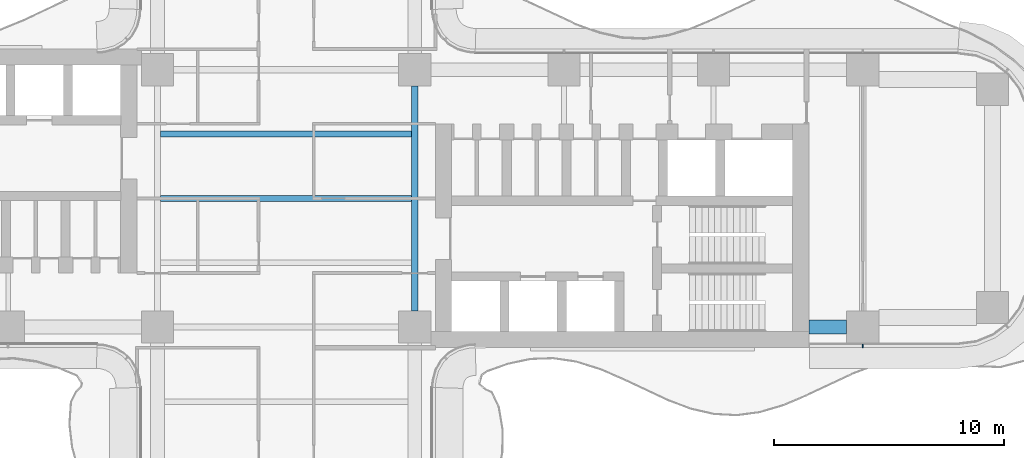
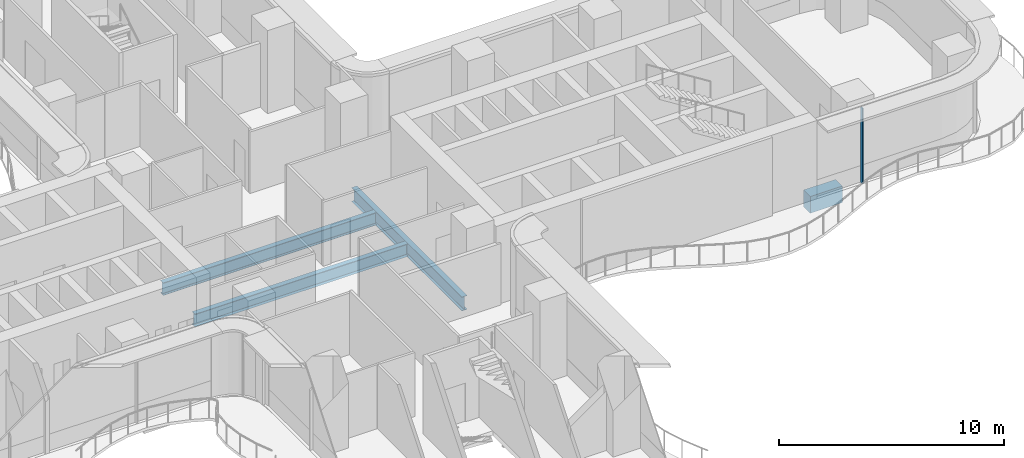
# One storey, part 6 of 23: 4 beams, 1 member, 1 element without a shape of its own.
"""IFC4 building model written with IfcOpenShell, lengths in metres."""

from ifc_helpers import new_model, si_unit, direction, frame, origin, origin_2d, place, context, subcontext, project, spatial, rectangle, i_section, extrude, source, transform, mapped, material, layer, layer_set, material_profile, profile_set, type_object, element, aggregate, save


model = new_model("IFC4")

# Units and contexts
model_context = context("Model", 3, precision=1e-05, world=origin(), true_north=direction((0.0, 1.0)))
body_context = subcontext(model_context, "Body", "Model", "MODEL_VIEW")
ifc_project = project(units=[si_unit("LENGTHUNIT", "METRE"), si_unit("AREAUNIT", "SQUARE_METRE"), si_unit("VOLUMEUNIT", "CUBIC_METRE"), si_unit("PLANEANGLEUNIT", "RADIAN"), si_unit("MASSUNIT", "GRAM", prefix="KILO")], contexts=[model_context])

# Site, building, storey
site_placement = place(None, origin())
site = spatial("IfcSite", under=ifc_project, at=site_placement, CompositionType="ELEMENT")
building_placement = place(site_placement, origin())
building = spatial("IfcBuilding", under=site, at=building_placement, Name="Trellis Farm Tower", CompositionType="ELEMENT")
storey_placement = place(building_placement, frame((0.0, 0.0, 83.5)))
storey = spatial("IfcBuildingStorey", under=building, at=storey_placement, Name="L17", CompositionType="ELEMENT", Elevation=83.5)

# Beams
ifc_material_1 = material(Name="Steel S355", Category="steel")
ifc_material_profile_1 = material_profile(ifc_material_1, i_section(OverallWidth=0.253662109375, OverallDepth=0.68359375, WebThickness=0.012451171875, FlangeThickness=0.021728515625, FilletRadius=0.01513671875, at=origin_2d()), Name="UB 686x254x140")
ifc_profile_set_1 = profile_set([ifc_material_profile_1], Name="Steel S355")
beam_type_1 = type_object("IfcBeamType", Name="UB 686x254x140 joist", PredefinedType="JOIST", material=ifc_profile_set_1)
shared_shape_1 = source(origin(), body_context, "Body", "SweptSolid", [
    extrude(i_section(OverallWidth=0.253662109375, OverallDepth=0.68359375, WebThickness=0.012451171875, FlangeThickness=0.021728515625, FilletRadius=0.01513671875, at=origin_2d()), origin(), (0.0, 0.0, 1.0), 10.93310546875),
])
for number, where, z_axis, x_axis, name in (
    (1, (-5.466552734375, 0.0, -0.591796875), (1.0, 0.0, 0.0), (0.0, 1.0, 0.0), "Floor beam"),
    (2, (-5.466552734375, 2.800048828125, -0.591796875), (1.0, 0.0, 0.0), (0.0, 1.0, 0.0), "Floor beam"),
):
    element("IfcBeam", number, at=place(storey_placement, frame(where, z_axis=z_axis, x_axis=x_axis)), inside=storey, type_object=beam_type_1, Name=name, PredefinedType="JOIST", context=body_context, shape_type="MappedRepresentation", body=[
        mapped(shared_shape_1, transform((0.0, 0.0, 0.0))),
    ])
ifc_material_profile_2 = material_profile(ifc_material_1, i_section(OverallWidth=0.2666015625, OverallDepth=0.76220703125, WebThickness=0.014404296875, FlangeThickness=0.021484375, FilletRadius=0.0166015625, at=origin_2d()), Name="UB 762x267x173")
ifc_profile_set_2 = profile_set([ifc_material_profile_2], Name="Steel S355")
beam_type_2 = type_object("IfcBeamType", Name="UB 762x267x173", PredefinedType="BEAM", material=ifc_profile_set_2)
shared_shape_2 = source(origin(), body_context, "Body", "SweptSolid", [
    extrude(i_section(OverallWidth=0.2666015625, OverallDepth=0.76220703125, WebThickness=0.014404296875, FlangeThickness=0.021484375, FilletRadius=0.0166015625, at=origin_2d()), origin(), (0.0, 0.0, 1.0), 9.7998046875),
])
beam_1_placement = place(storey_placement, frame((5.60009765625, -4.89990234375, -0.631103515625), z_axis=(0.0, 1.0, 0.0), x_axis=(-1.0, 0.0, 0.0)))
element("IfcBeam", 3, at=beam_1_placement, inside=storey, type_object=beam_type_2, Name="Girder", PredefinedType="BEAM", context=body_context, shape_type="MappedRepresentation", body=[
    mapped(shared_shape_2, transform((0.0, 0.0, 0.0))),
])
ifc_material_2 = material(Name="Concrete C60/75", Category="concrete")
ifc_material_profile_3 = material_profile(ifc_material_2, rectangle(XDim=0.60009765625, YDim=0.89990234375, at=origin_2d()), Name="RC spandrel beam 600x900 C60/75")
ifc_profile_set_3 = profile_set([ifc_material_profile_3], Name="Concrete C60/75")
beam_type_3 = type_object("IfcBeamType", Name="RC spandrel beam 600x900 C60/75", PredefinedType="SPANDREL", material=ifc_profile_set_3)
shared_shape_3 = source(origin(), body_context, "Body", "SweptSolid", [
    extrude(rectangle(XDim=0.60009765625, YDim=0.89990234375, at=origin_2d()), origin(), (0.0, 0.0, 1.0), 1.64990234375),
])
beam_2_placement = place(storey_placement, frame((22.75, -5.60009765625, -0.699951171875), z_axis=(1.0, 0.0, 0.0), x_axis=(0.0, 1.0, 0.0)))
element("IfcBeam", 4, at=beam_2_placement, inside=storey, type_object=beam_type_3, Name="Girder", PredefinedType="SPANDREL", context=body_context, shape_type="MappedRepresentation", body=[
    mapped(shared_shape_3, transform((0.0, 0.0, 0.0))),
])

# Curtain wall, member
ifc_material_3 = material(Name="Aluminium and glass curtain wall", Category="aluminium")
ifc_layer = layer(ifc_material_3, 0.18994140625)
ifc_layer_set = layer_set([ifc_layer], Name="RIBBON CURTAIN WALL CW1")
curtain_wall_type = type_object("IfcCurtainWallType", Name="RIBBON CURTAIN WALL CW1", PredefinedType="NOTDEFINED", material=ifc_layer_set)
curtain_wall_placement = place(storey_placement, origin())
curtain_wall = element("IfcCurtainWall", 5, at=curtain_wall_placement, inside=storey, type_object=curtain_wall_type, Name="CW1 005", PredefinedType="NOTDEFINED")
ifc_material_4 = material(Name="Aluminium extrusion 6063-T6", Category="aluminium")
ifc_material_profile_4 = material_profile(ifc_material_4, rectangle(XDim=0.06005859375, YDim=0.14990234375, at=origin_2d()), Name="MULLION 60x150")
ifc_profile_set_4 = profile_set([ifc_material_profile_4], Name="Aluminium extrusion 6063-T6")
member_type = type_object("IfcMemberType", Name="CW1 MULLION 60x150", PredefinedType="MULLION", material=ifc_profile_set_4)
shared_shape_4 = source(origin(), body_context, "Body", "SweptSolid", [
    extrude(rectangle(XDim=0.06005859375, YDim=0.14990234375, at=origin_2d()), origin(), (0.0, 0.0, 1.0), 4.070068359375),
])
member_placement = place(storey_placement, frame((25.10009765625, -6.425048828125, 0.0), z_axis=(0.0, 0.0, 1.0), x_axis=(1.0, 0.0, 0.0)))
member = element("IfcMember", 6, at=member_placement, type_object=member_type, Name="MU1 005-01", PredefinedType="MULLION", context=body_context, shape_type="MappedRepresentation", body=[
    mapped(shared_shape_4, transform((0.0, 0.0, 0.0))),
])
aggregate(curtain_wall, [member])

save(model, "model.ifc")
